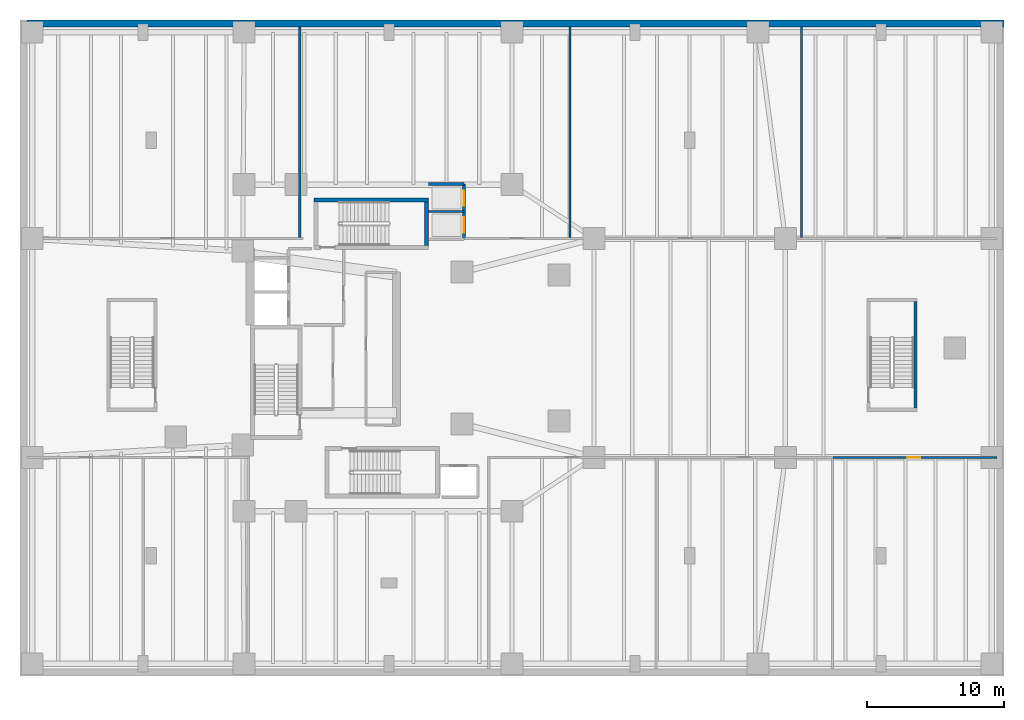
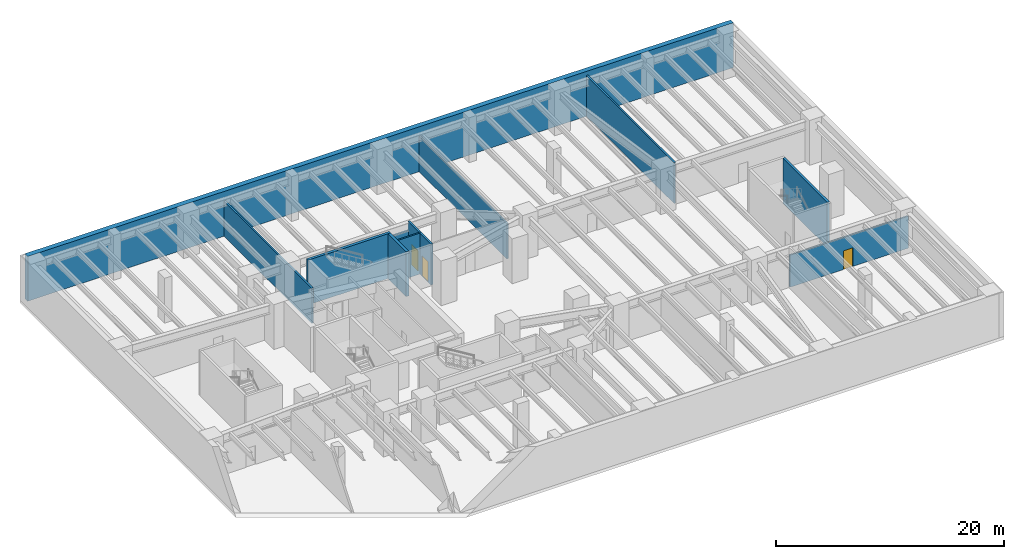
# One storey, part 5 of 9: 11 walls, 3 doors, 3 openings.
"""IFC4 building model written with IfcOpenShell, lengths in metres."""

from ifc_helpers import new_model, si_unit, direction, frame, frame_2d, origin, place, context, subcontext, project, spatial, rectangle, extrude, material, layer, layer_set, type_object, element, fill, save


model = new_model("IFC4")

# Units and contexts
model_context = context("Model", 3, precision=1e-05, world=origin(), true_north=direction((0.0, 1.0)))
body_context = subcontext(model_context, "Body", "Model", "MODEL_VIEW")
ifc_project = project(units=[si_unit("LENGTHUNIT", "METRE"), si_unit("AREAUNIT", "SQUARE_METRE"), si_unit("VOLUMEUNIT", "CUBIC_METRE"), si_unit("PLANEANGLEUNIT", "RADIAN"), si_unit("MASSUNIT", "GRAM", prefix="KILO"), si_unit("THERMODYNAMICTEMPERATUREUNIT", "KELVIN"), si_unit("POWERUNIT", "WATT")], contexts=[model_context])

# Site, building, storey
site_placement = place(None, origin())
site = spatial("IfcSite", under=ifc_project, at=site_placement, CompositionType="ELEMENT")
building_placement = place(site_placement, origin())
building = spatial("IfcBuilding", under=site, at=building_placement, Name="Skarre Station Tower", CompositionType="ELEMENT")
storey_placement = place(building_placement, frame((0.0, 0.0, -4.800048828125)))
storey = spatial("IfcBuildingStorey", under=building, at=storey_placement, Name="B01", CompositionType="ELEMENT", Elevation=-4.800048828125)

# Wall
ifc_material_1 = material(Name="Concrete C50/60", Category="concrete")
ifc_layer_1 = layer(ifc_material_1, 0.5, Name="Concrete C50/60")
ifc_layer_set_1 = layer_set([ifc_layer_1], Name="Concrete C50/60")
wall_type_1 = type_object("IfcWallType", Name="Basement Perimeter Retaining Wall 500", PredefinedType="USERDEFINED", material=ifc_layer_set_1)
wall_1_placement = place(storey_placement, frame((0.5, 47.75, 0.0), z_axis=(0.0, 0.0, 1.0), x_axis=(1.0, 0.0, 0.0)))
element("IfcWall", 1, at=wall_1_placement, inside=storey, type_object=wall_type_1, Name="B01 Perimeter Retaining Wall N", ObjectType="RETAININGWALL", PredefinedType="USERDEFINED", context=body_context, shape_type="SweptSolid", body=[
    extrude(rectangle(XDim=71.5, YDim=0.5, at=frame_2d((35.75, 0.0))), origin(), (0.0, 0.0, 1.0), 4.800048828125),
])

# Wall, opening, door
ifc_material_2 = material(Name="Acoustic Steel-Stud Gypsum Partition", Category="steel")
ifc_layer_2 = layer(ifc_material_2, 0.14990234375, Name="Acoustic Steel-Stud Gypsum Partition")
ifc_layer_set_2 = layer_set([ifc_layer_2], Name="Acoustic Steel-Stud Gypsum Partition")
wall_type_2 = type_object("IfcWallType", Name="Fire-Rated Corridor Acoustic Partition 150", PredefinedType="PARTITIONING", material=ifc_layer_set_2)
wall_2_placement = place(storey_placement, frame((59.486083984375, 15.97998046875, 0.0), z_axis=(0.0, 0.0, 1.0), x_axis=(1.0, 0.0, 0.0)))
wall_2 = element("IfcWall", 2, at=wall_2_placement, inside=storey, type_object=wall_type_2, Name="B01 Interior Partition WL-PT-B01-PDSE3-CW", PredefinedType="PARTITIONING", context=body_context, shape_type="SweptSolid", body=[
    extrude(rectangle(XDim=12.018798828125, YDim=0.14990234375, at=frame_2d((6.00927734375, 0.0))), origin(), (0.0, 0.0, 1.0), 3.43212890625),
])
opening_1_placement = place(wall_2_placement, frame((5.427001953125, 0.0, 0.0)))
opening_1 = element("IfcOpeningElement", 3, at=opening_1_placement, cuts=wall_2, Name="Opening DR-FD60", PredefinedType="OPENING", context=body_context, shape_type="SweptSolid", body=[
    extrude(rectangle(XDim=0.9599609375, YDim=2.0, at=frame_2d((0.47998046875, 1.0))), frame((0.0, 0.0849609375, 0.0), z_axis=(0.0, -1.0, 0.0), x_axis=(1.0, 0.0, 0.0)), (0.0, 0.0, 1.0), 0.169921875),
])
ifc_material_3 = material(Name="Nordic White-Oak Veneer Solid-Core Fire Leaf", Category="wood")
door_type_1 = type_object("IfcDoorType", Name="Corridor Suite Entry Fire Door FD60 960x2150", OperationType="SINGLE_SWING_LEFT", PredefinedType="DOOR", material=ifc_material_3)
door_1_placement = place(opening_1_placement, origin())
door_1 = element("IfcDoor", 4, at=door_1_placement, inside=storey, type_object=door_type_1, Name="B01 PDSE3 Entry Door", OperationType="SINGLE_SWING_LEFT", OverallHeight=2.0, OverallWidth=0.9599609375, PredefinedType="DOOR", context=body_context, shape_type="SweptSolid", body=[
    extrude(rectangle(XDim=0.9599609375, YDim=2.0, at=frame_2d((0.47998046875, 1.0))), frame((0.0, 0.02490234375, 0.0), z_axis=(0.0, -1.0, 0.0), x_axis=(1.0, 0.0, 0.0)), (0.0, 0.0, 1.0), 0.050048828125),
])
fill(opening_1, door_1)

# Walls
ifc_layer_3 = layer(ifc_material_1, 0.239990234375, Name="Concrete C50/60")
ifc_layer_set_3 = layer_set([ifc_layer_3], Name="Concrete C50/60")
wall_type_3 = type_object("IfcWallType", Name="RC Core Shear Wall 240", PredefinedType="SHEAR", material=ifc_layer_set_3)
wall_3_placement = place(storey_placement, frame((65.52001953125, 19.60009765625, 0.0), z_axis=(0.0, 0.0, 1.0), x_axis=(0.0, 1.0, 0.0)))
element("IfcWall", 5, at=wall_3_placement, inside=storey, type_object=wall_type_3, Name="B01 Podium Stair ST-5 East Shear Wall", PredefinedType="SHEAR", context=body_context, shape_type="SweptSolid", body=[
    extrude(rectangle(XDim=7.7998046875, YDim=0.239990234375, at=frame_2d((3.89990234375, 0.0))), origin(), (0.0, 0.0, 1.0), 4.800048828125),
])
ifc_layer_4 = layer(ifc_material_1, 0.280029296875, Name="Concrete C50/60")
ifc_layer_set_4 = layer_set([ifc_layer_4], Name="Concrete C50/60")
wall_type_4 = type_object("IfcWallType", Name="RC Core Shear Wall 280", PredefinedType="SHEAR", material=ifc_layer_set_4)
wall_4_placement = place(storey_placement, frame((29.8798828125, 34.840087890625, 0.0), z_axis=(0.0, 0.0, 1.0), x_axis=(-1.0, 0.0, 0.0)))
element("IfcWall", 6, at=wall_4_placement, inside=storey, type_object=wall_type_4, Name="B01 Stair ST-3 North Shear Wall", PredefinedType="SHEAR", context=body_context, shape_type="SweptSolid", body=[
    extrude(rectangle(XDim=8.35986328125, YDim=0.280029296875, at=frame_2d((4.179931640625, 0.0))), origin(), (0.0, 0.0, 1.0), 4.800048828125),
])
wall_5_placement = place(storey_placement, frame((29.739990234375, 31.5, 0.0), z_axis=(0.0, 0.0, 1.0), x_axis=(0.0, 1.0, 0.0)))
element("IfcWall", 7, at=wall_5_placement, inside=storey, type_object=wall_type_4, Name="B01 Stair ST-3 East Shear Wall", PredefinedType="SHEAR", context=body_context, shape_type="SweptSolid", body=[
    extrude(rectangle(XDim=3.199951171875, YDim=0.280029296875, at=frame_2d((1.60009765625, 0.0))), origin(), (0.0, 0.0, 1.0), 4.800048828125),
])

# Wall, openings, doors
ifc_material_4 = material(Name="Gypsum Concrete Shaft Assembly C30/37", Category="concrete")
ifc_layer_5 = layer(ifc_material_4, 0.199951171875, Name="Gypsum Concrete Shaft Assembly C30/37")
ifc_layer_set_5 = layer_set([ifc_layer_5], Name="Gypsum Concrete Shaft Assembly C30/37")
wall_type_5 = type_object("IfcWallType", Name="Shaft & Core Fire Partition 200", PredefinedType="PARTITIONING", material=ifc_layer_set_5)
wall_6_placement = place(storey_placement, frame((32.47998046875, 31.949951171875, 0.0), z_axis=(0.0, 0.0, 1.0), x_axis=(0.0, 1.0, 0.0)))
wall_6 = element("IfcWall", 8, at=wall_6_placement, inside=storey, type_object=wall_type_5, Name="B01 Interior Partition WL-PT-B01-EX-E", PredefinedType="PARTITIONING", context=body_context, shape_type="SweptSolid", body=[
    extrude(rectangle(XDim=4.050048828125, YDim=0.199951171875, at=frame_2d((2.02490234375, 0.0))), origin(), (0.0, 0.0, 1.0), 4.380126953125),
])
opening_2_placement = place(wall_6_placement, frame((0.5, 0.0, 0.0)))
opening_2 = element("IfcOpeningElement", 9, at=opening_2_placement, cuts=wall_6, Name="Opening LD-EX1", PredefinedType="OPENING", context=body_context, shape_type="SweptSolid", body=[
    extrude(rectangle(XDim=1.10009765625, YDim=2.199951171875, at=frame_2d((0.550048828125, 1.10009765625))), frame((0.0, 0.10986328125, 0.0), z_axis=(0.0, -1.0, 0.0), x_axis=(1.0, 0.0, 0.0)), (0.0, 0.0, 1.0), 0.219970703125),
])
opening_3_placement = place(wall_6_placement, frame((2.449951171875, 0.0, 0.0)))
opening_3 = element("IfcOpeningElement", 10, at=opening_3_placement, cuts=wall_6, Name="Opening LD-EX2", PredefinedType="OPENING", context=body_context, shape_type="SweptSolid", body=[
    extrude(rectangle(XDim=1.10009765625, YDim=2.199951171875, at=frame_2d((0.550048828125, 1.10009765625))), frame((0.0, 0.10986328125, 0.0), z_axis=(0.0, -1.0, 0.0), x_axis=(1.0, 0.0, 0.0)), (0.0, 0.0, 1.0), 0.219970703125),
])
ifc_material_5 = material(Name="Brushed Bronze Stainless Steel Sliding Leaves", Category="steel")
door_type_2 = type_object("IfcDoorType", Name="Passenger Elevator Center-Parting Sliding Door 1100x2200", OperationType="SLIDING_TO_LEFT", PredefinedType="DOOR", material=ifc_material_5)
door_2_placement = place(opening_2_placement, origin())
door_2 = element("IfcDoor", 11, at=door_2_placement, inside=storey, type_object=door_type_2, Name="B01 Shuttle Lift LF-EX1 Landing Door", OperationType="SLIDING_TO_LEFT", OverallHeight=2.199951171875, OverallWidth=1.10009765625, PredefinedType="DOOR", context=body_context, shape_type="SweptSolid", body=[
    extrude(rectangle(XDim=1.10009765625, YDim=2.199951171875, at=frame_2d((0.550048828125, 1.10009765625))), frame((0.0, 0.02490234375, 0.0), z_axis=(0.0, -1.0, 0.0), x_axis=(1.0, 0.0, 0.0)), (0.0, 0.0, 1.0), 0.050048828125),
])
fill(opening_2, door_2)
door_3_placement = place(opening_3_placement, origin())
door_3 = element("IfcDoor", 12, at=door_3_placement, inside=storey, type_object=door_type_2, Name="B01 Shuttle Lift LF-EX2 Landing Door", OperationType="SLIDING_TO_LEFT", OverallHeight=2.199951171875, OverallWidth=1.10009765625, PredefinedType="DOOR", context=body_context, shape_type="SweptSolid", body=[
    extrude(rectangle(XDim=1.10009765625, YDim=2.199951171875, at=frame_2d((0.550048828125, 1.10009765625))), frame((0.0, 0.02490234375, 0.0), z_axis=(0.0, -1.0, 0.0), x_axis=(1.0, 0.0, 0.0)), (0.0, 0.0, 1.0), 0.050048828125),
])
fill(opening_3, door_3)

# Walls
wall_7_placement = place(storey_placement, frame((29.8798828125, 36.0, 0.0), z_axis=(0.0, 0.0, 1.0), x_axis=(1.0, 0.0, 0.0)))
element("IfcWall", 13, at=wall_7_placement, inside=storey, type_object=wall_type_5, Name="B01 Interior Partition WL-PT-B01-EX-N", PredefinedType="PARTITIONING", context=body_context, shape_type="SweptSolid", body=[
    extrude(rectangle(XDim=2.60009765625, YDim=0.199951171875, at=frame_2d((1.300048828125, 0.0))), origin(), (0.0, 0.0, 1.0), 3.43212890625),
])
wall_8_placement = place(storey_placement, frame((29.875, 33.97998046875, 0.0), z_axis=(0.0, 0.0, 1.0), x_axis=(1.0, 0.0, 0.0)))
element("IfcWall", 14, at=wall_8_placement, inside=storey, type_object=wall_type_5, Name="B01 Interior Partition WL-PT-B01-EX-DIV", PredefinedType="PARTITIONING", context=body_context, shape_type="SweptSolid", body=[
    extrude(rectangle(XDim=2.60498046875, YDim=0.159912109375, at=frame_2d((1.302490234375, 0.0))), origin(), (0.0, 0.0, 1.0), 4.380126953125),
])
ifc_layer_6 = layer(ifc_material_2, 0.1650390625, Name="Acoustic Steel-Stud Gypsum Partition")
ifc_layer_set_6 = layer_set([ifc_layer_6], Name="Acoustic Steel-Stud Gypsum Partition")
wall_type_6 = type_object("IfcWallType", Name="Suite Demising Acoustic Partition 165", PredefinedType="PARTITIONING", material=ifc_layer_set_6)
for number, where, z_axis, x_axis, name in (
    (15, (20.468017578125, 32.090087890625, 0.0), (0.0, 0.0, 1.0), (0.0, 1.0, 0.0), "B01 Interior Partition WL-PT-B01-PDN-P1"),
    (16, (40.236083984375, 32.090087890625, 0.0), (0.0, 0.0, 1.0), (0.0, 1.0, 0.0), "B01 Interior Partition WL-PT-B01-PDN-P2"),
):
    element("IfcWall", number, at=place(storey_placement, frame(where, z_axis=z_axis, x_axis=x_axis)), inside=storey, type_object=wall_type_6, Name=name, PredefinedType="PARTITIONING", context=body_context, shape_type="SweptSolid", body=[
        extrude(rectangle(XDim=15.414794921875, YDim=0.1650390625, at=frame_2d((7.70751953125, 0.0))), origin(), (0.0, 0.0, 1.0), 3.77197265625),
    ])
wall_9_placement = place(storey_placement, frame((57.179931640625, 32.090087890625, 0.0), z_axis=(0.0, 0.0, 1.0), x_axis=(0.0, 1.0, 0.0)))
element("IfcWall", 17, at=wall_9_placement, inside=storey, type_object=wall_type_6, Name="B01 Interior Partition WL-PT-B01-PDN-P3", PredefinedType="PARTITIONING", context=body_context, shape_type="SweptSolid", body=[
    extrude(rectangle(XDim=15.414794921875, YDim=0.1650390625, at=frame_2d((7.70751953125, 0.0))), origin(), (0.0, 0.0, 1.0), 4.380126953125),
])

save(model, "model.ifc")
